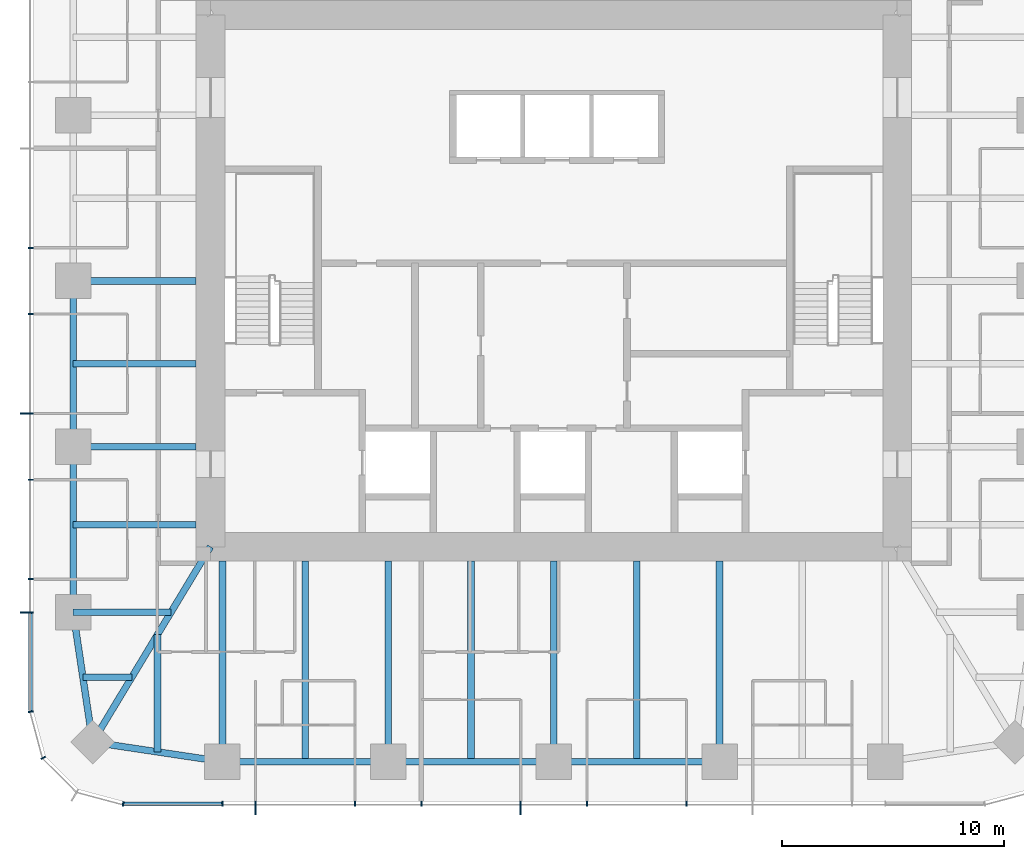
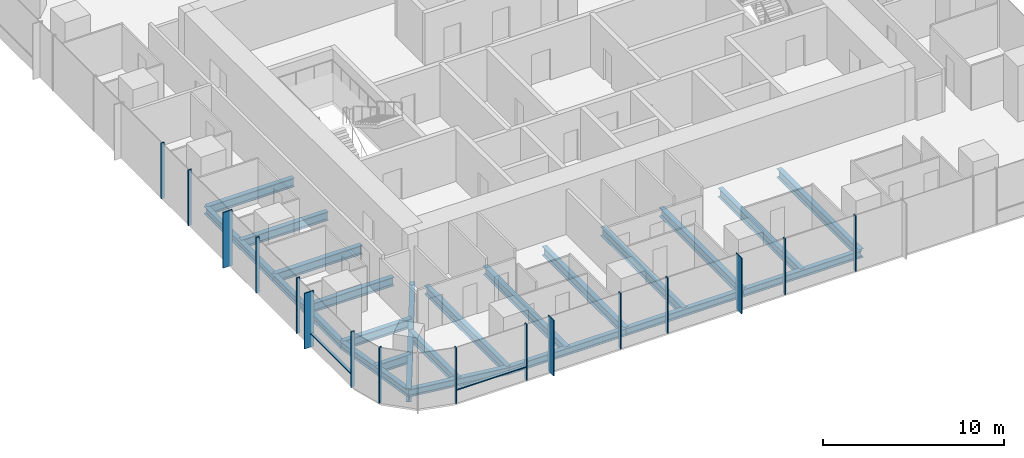
# One storey, part 2 of 12: 22 beams, 18 members, 3 elements without a shape of their own.
"""IFC4 building model written with IfcOpenShell, lengths in metres."""

import ifcopenshell
import ifcopenshell.guid

model = None  # the IFC model being written
_history = None  # IfcOwnerHistory: only IFC2X3 demands one
_inside = {}  # id of a spatial element -> (the spatial element, [elements in it])
_under = {}  # id of a project, library or spatial element -> (it, [spatial elements below it])
_declared = {}  # id of a project -> (the project, [libraries it declares])
_typed = {}  # id of a type object -> (the type object, [elements of that type])
_made_of = {}  # id of a material, layer set ... -> (it, [elements and type objects made of it])


def new_model(schema):
    """Start an empty IFC model of exactly this schema.

    Asked for "IFC4X3", IfcOpenShell would pick the latest addendum, in which some entities
    have other attributes; the version numbers below select the first issue.
    IFC2X3 requires an IfcOwnerHistory on every rooted entity: one is made here for all.
    """
    global model, _history
    if schema == "IFC4X3":
        model = ifcopenshell.file(schema_version=(4, 3, 0, 0))
    else:
        model = ifcopenshell.file(schema=schema)
    _inside.clear()
    _under.clear()
    _declared.clear()
    _typed.clear()
    _made_of.clear()
    _history = None
    if model.schema == "IFC2X3":
        org = make("IfcOrganization", Name="unknown")
        user = make(
            "IfcPersonAndOrganization",
            ThePerson=make("IfcPerson", FamilyName="unknown"),
            TheOrganization=org,
        )
        app = make(
            "IfcApplication",
            ApplicationDeveloper=org,
            Version="unknown",
            ApplicationFullName="unknown",
            ApplicationIdentifier="unknown",
        )
        _history = make(
            "IfcOwnerHistory",
            OwningUser=user,
            OwningApplication=app,
            ChangeAction="ADDED",
            CreationDate=0,
        )
    return model


def make(cls, **values):
    """One entity of the class cls with the attributes given. An attribute that is None is left unset."""
    return model.create_entity(
        cls, **{name: value for name, value in values.items() if value is not None}
    )


def rooted(cls, **values):
    """An entity with a GlobalId (a new one), such as an element, a storey or a relation."""
    return make(cls, GlobalId=ifcopenshell.guid.new(), OwnerHistory=_history, **values)


def si_unit(unit_type, name, prefix=None):
    """IfcSIUnit, for example si_unit("LENGTHUNIT", "METRE", prefix="MILLI")."""
    return make("IfcSIUnit", UnitType=unit_type, Prefix=prefix, Name=name)


def assignment(units):
    """IfcUnitAssignment: the units of a project."""
    return None if units is None else make("IfcUnitAssignment", Units=units)


def point(xyz):
    """IfcCartesianPoint."""
    return None if xyz is None else make("IfcCartesianPoint", Coordinates=xyz)


def direction(xyz):
    """IfcDirection."""
    return None if xyz is None else make("IfcDirection", DirectionRatios=xyz)


def frame(location, z_axis=None, x_axis=None):
    """IfcAxis2Placement3D, a coordinate frame: its origin and axes. An axis left out is left unset."""
    return make(
        "IfcAxis2Placement3D",
        Location=point(location),
        Axis=direction(z_axis),
        RefDirection=direction(x_axis),
    )


def frame_2d(location, x_axis=None):
    """IfcAxis2Placement2D, a coordinate frame in the plane: its origin and x axis."""
    return make(
        "IfcAxis2Placement2D", Location=point(location), RefDirection=direction(x_axis)
    )


def origin():
    """The frame at (0, 0, 0) with its axes left unset."""
    return frame((0.0, 0.0, 0.0))


def origin_2d():
    """The frame at (0, 0) in the plane with its x axis left unset."""
    return frame_2d((0.0, 0.0))


def place(relative_to, where):
    """IfcLocalPlacement: puts the frame where relative to a parent placement (None: the world)."""
    return make(
        "IfcLocalPlacement", PlacementRelTo=relative_to, RelativePlacement=where
    )


def context(
    kind, dimensions, precision=None, world=None, true_north=None, identifier=None
):
    """IfcGeometricRepresentationContext, for example the 3D "Model" context."""
    return make(
        "IfcGeometricRepresentationContext",
        ContextIdentifier=identifier,
        ContextType=kind,
        CoordinateSpaceDimension=dimensions,
        Precision=precision,
        WorldCoordinateSystem=world,
        TrueNorth=true_north,
    )


def subcontext(parent, identifier, kind, view, scale=None):
    """IfcGeometricRepresentationSubContext, for example "Body" below "Model"."""
    return make(
        "IfcGeometricRepresentationSubContext",
        ContextIdentifier=identifier,
        ContextType=kind,
        ParentContext=parent,
        TargetScale=scale,
        TargetView=view,
    )


def project(units=None, contexts=None):
    """IfcProject with its units and contexts."""
    return rooted(
        "IfcProject",
        Name="project",
        RepresentationContexts=contexts,
        UnitsInContext=assignment(units),
    )


def spatial(cls, under=None, at=None, **own):
    """A site, building, storey or space (cls), placed at a placement, below another one or the project."""
    s = rooted(cls, ObjectPlacement=at, **own)
    if under is not None:
        _under.setdefault(under.id(), (under, []))[1].append(s)
    return s


def profile(cls, at=None, kind="AREA", **sizes):
    """A parametric profile (cls). Its sizes go by their IFC names, for example OverallWidth=200.0."""
    return make(cls, ProfileType=kind, Position=at, **sizes)


def rectangle(**sizes):
    """IfcRectangleProfileDef."""
    return profile("IfcRectangleProfileDef", **sizes)


def i_section(**sizes):
    """IfcIShapeProfileDef."""
    return profile("IfcIShapeProfileDef", **sizes)


def extrude(swept, where, along, depth):
    """IfcExtrudedAreaSolid: the profile swept, set in the frame where, extruded along a direction by depth."""
    return make(
        "IfcExtrudedAreaSolid",
        SweptArea=swept,
        Position=where,
        ExtrudedDirection=direction(along),
        Depth=depth,
    )


def shape(context_of_items, identifier, shape_type, items):
    """IfcShapeRepresentation: the items that make up one representation, for example the "Body"."""
    return make(
        "IfcShapeRepresentation",
        ContextOfItems=context_of_items,
        RepresentationIdentifier=identifier,
        RepresentationType=shape_type,
        Items=items,
    )


def material(Name=None, Category=None):
    """IfcMaterial."""
    return make("IfcMaterial", Name=Name, Category=Category)


def material_profile(
    of_material, cross_section, Name=None, Category=None, Priority=None
):
    """IfcMaterialProfile: a cross section and its material."""
    return make(
        "IfcMaterialProfile",
        Name=Name,
        Material=of_material,
        Profile=cross_section,
        Priority=Priority,
        Category=Category,
    )


def profile_set(profiles, Name=None, composite=None):
    """IfcMaterialProfileSet."""
    return make(
        "IfcMaterialProfileSet",
        Name=Name,
        MaterialProfiles=profiles,
        CompositeProfile=composite,
    )


def made_of(thing, what):
    """Note that an element or type object is made of a material, layer set ...; save() writes the relation."""
    if what is not None:
        _made_of.setdefault(what.id(), (what, []))[1].append(thing)
    return thing


def type_object(cls, material=None, **own):
    """A type object (cls), such as IfcWallType, which elements share."""
    return made_of(rooted(cls, **own), material)


def element(
    cls,
    number,
    at=None,
    inside=None,
    cuts=None,
    type_object=None,
    material=None,
    context=None,
    identifier="Body",
    shape_type=None,
    held_by="IfcProductDefinitionShape",
    body=None,
    shapes=None,
    **own,
):
    """One element of the class cls, such as IfcWall. Its Tag is "e" and its number.

    at: its placement. inside: the storey or other place that contains it. cuts: it is an
    opening in that element (IfcRelVoidsElement). A single representation is given by context,
    identifier, shape_type and body (its items); several are given by shapes. held_by: the class
    of the entity that holds the representations. save() writes the other relations.
    """
    e = rooted(cls, Tag="e%d" % number, ObjectPlacement=at, **own)
    if body is not None:
        shapes = [shape(context, identifier, shape_type, body)]
    if shapes is not None:
        e.Representation = make(held_by, Representations=shapes)
    if inside is not None:
        _inside.setdefault(inside.id(), (inside, []))[1].append(e)
    if cuts is not None:
        rooted(
            "IfcRelVoidsElement", RelatingBuildingElement=cuts, RelatedOpeningElement=e
        )
    if type_object is not None:
        _typed.setdefault(type_object.id(), (type_object, []))[1].append(e)
    return made_of(e, material)


def aggregate(whole, parts):
    """IfcRelAggregates: a whole, such as a stair, and the parts it consists of."""
    return rooted("IfcRelAggregates", RelatingObject=whole, RelatedObjects=parts)


def save(model, path):
    """Write the relations noted so far, then the file.

    IfcRelAggregates (storeys below a building ...), IfcRelContainedInSpatialStructure (elements
    in a storey), IfcRelDefinesByType, IfcRelAssociatesMaterial and IfcRelDeclares: one each for
    every whole, place, type object, material and project.
    """
    for whole, parts in _under.values():
        aggregate(whole, parts)
    for where, things in _inside.values():
        rooted(
            "IfcRelContainedInSpatialStructure",
            RelatedElements=things,
            RelatingStructure=where,
        )
    for kind, things in _typed.values():
        rooted("IfcRelDefinesByType", RelatedObjects=things, RelatingType=kind)
    for what, things in _made_of.values():
        rooted("IfcRelAssociatesMaterial", RelatedObjects=things, RelatingMaterial=what)
    for by, libraries in _declared.values():
        rooted("IfcRelDeclares", RelatingContext=by, RelatedDefinitions=libraries)
    model.write(path)


model = new_model("IFC4")

# Units and contexts
model_context = context("Model", 3, precision=1e-05, world=origin(), true_north=direction((0.0, 1.0)))
body_context = subcontext(model_context, "Body", "Model", "MODEL_VIEW")
ifc_project = project(units=[si_unit("LENGTHUNIT", "METRE"), si_unit("AREAUNIT", "SQUARE_METRE"), si_unit("VOLUMEUNIT", "CUBIC_METRE"), si_unit("PLANEANGLEUNIT", "RADIAN"), si_unit("MASSUNIT", "GRAM", prefix="KILO")], contexts=[model_context])

# Site, building, storey
site_placement = place(None, origin())
site = spatial("IfcSite", under=ifc_project, at=site_placement, CompositionType="ELEMENT")
building_placement = place(site_placement, origin())
building = spatial("IfcBuilding", under=site, at=building_placement, Name="Khuree Lantern Residences", CompositionType="ELEMENT")
storey_placement = place(building_placement, frame((0.0, 0.0, 304.5)))
storey = spatial("IfcBuildingStorey", under=building, at=storey_placement, Name="L76", CompositionType="ELEMENT", Elevation=304.5)

# Beams
ifc_material_1 = material(Name="Steel S355", Category="steel")
ifc_material_profile_1 = material_profile(ifc_material_1, i_section(OverallWidth=0.300048828125, OverallDepth=0.590087890625, WebThickness=0.012939453125, FlangeThickness=0.02490234375, FilletRadius=0.027099609375, at=origin_2d()), Name="HE 600 A")
ifc_profile_set_1 = profile_set([ifc_material_profile_1], Name="Steel S355")
beam_type_1 = type_object("IfcBeamType", Name="B-42 SECONDARY BEAM HE 600 A", PredefinedType="BEAM", material=ifc_profile_set_1)
for number, where, z_axis, x_axis, name in (
    (1, (3.739990234375, -21.699951171875, -0.544921875), (0.0, 1.0, 0.0), (-1.0, 0.0, 0.0), "Secondary beam S3"),
    (2, (-3.739990234375, -21.699951171875, -0.544921875), (0.0, 1.0, 0.0), (-1.0, 0.0, 0.0), "Secondary beam S4"),
    (3, (-11.219970703125, -21.699951171875, -0.544921875), (0.0, 1.0, 0.0), (-1.0, 0.0, 0.0), "Secondary beam S5"),
):
    element("IfcBeam", number, at=place(storey_placement, frame(where, z_axis=z_axis, x_axis=x_axis)), inside=storey, type_object=beam_type_1, Name=name, PredefinedType="BEAM", context=body_context, shape_type="SweptSolid", body=[
        extrude(i_section(OverallWidth=0.300048828125, OverallDepth=0.590087890625, WebThickness=0.012939453125, FlangeThickness=0.02490234375, FilletRadius=0.027099609375, at=origin_2d()), origin(), (0.0, 0.0, 1.0), 9.050048828125),
    ])
beam_1_placement = place(storey_placement, frame((-17.890625, -21.2607421875, -0.544921875), z_axis=(0.0, 1.0, 0.0), x_axis=(-1.0, 0.0, 0.0)))
element("IfcBeam", 4, at=beam_1_placement, inside=storey, type_object=beam_type_1, Name="Secondary beam S6", PredefinedType="BEAM", context=body_context, shape_type="SweptSolid", body=[
    extrude(i_section(OverallWidth=0.300048828125, OverallDepth=0.590087890625, WebThickness=0.012939453125, FlangeThickness=0.02490234375, FilletRadius=0.027099609375, at=origin_2d()), origin(), (0.0, 0.0, 1.0), 5.297607421875),
])
beam_2_placement = place(storey_placement, frame((-21.2607421875, -17.890625, -0.544921875), z_axis=(1.0, 0.0, 0.0), x_axis=(0.0, 1.0, 0.0)))
element("IfcBeam", 5, at=beam_2_placement, inside=storey, type_object=beam_type_1, Name="Secondary beam W1", PredefinedType="BEAM", context=body_context, shape_type="SweptSolid", body=[
    extrude(i_section(OverallWidth=0.300048828125, OverallDepth=0.590087890625, WebThickness=0.012939453125, FlangeThickness=0.02490234375, FilletRadius=0.027099609375, at=origin_2d()), origin(), (0.0, 0.0, 1.0), 2.207275390625),
])
for number, where, z_axis, x_axis, name in (
    (6, (-21.699951171875, -11.0, -0.544921875), (1.0, 0.0, 0.0), (0.0, 1.0, 0.0), "Secondary beam W2"),
    (7, (-21.699951171875, -3.739990234375, -0.544921875), (1.0, 0.0, 0.0), (0.0, 1.0, 0.0), "Secondary beam W3"),
):
    element("IfcBeam", number, at=place(storey_placement, frame(where, z_axis=z_axis, x_axis=x_axis)), inside=storey, type_object=beam_type_1, Name=name, PredefinedType="BEAM", context=body_context, shape_type="SweptSolid", body=[
        extrude(i_section(OverallWidth=0.300048828125, OverallDepth=0.590087890625, WebThickness=0.012939453125, FlangeThickness=0.02490234375, FilletRadius=0.027099609375, at=origin_2d()), origin(), (0.0, 0.0, 1.0), 5.550048828125),
    ])
ifc_material_profile_2 = material_profile(ifc_material_1, i_section(OverallWidth=0.300048828125, OverallDepth=0.489990234375, WebThickness=0.011962890625, FlangeThickness=0.02294921875, FilletRadius=0.027099609375, at=origin_2d()), Name="HE 500 A")
ifc_profile_set_2 = profile_set([ifc_material_profile_2], Name="Steel S355")
beam_type_2 = type_object("IfcBeamType", Name="E-42 SPANDREL BEAM HE 500 A", PredefinedType="SPANDREL", material=ifc_profile_set_2)
for number, where, z_axis, x_axis, name in (
    (8, (7.47998046875, -21.699951171875, -0.4951171875), (-1.0, 0.0, 0.0), (0.0, -1.0, 0.0), "Spandrel beam S3"),
    (9, (0.0, -21.699951171875, -0.4951171875), (-1.0, 0.0, 0.0), (0.0, -1.0, 0.0), "Spandrel beam S4"),
    (10, (-7.47998046875, -21.699951171875, -0.4951171875), (-1.0, 0.0, 0.0), (0.0, -1.0, 0.0), "Spandrel beam S5"),
):
    element("IfcBeam", number, at=place(storey_placement, frame(where, z_axis=z_axis, x_axis=x_axis)), inside=storey, type_object=beam_type_2, Name=name, PredefinedType="SPANDREL", context=body_context, shape_type="SweptSolid", body=[
        extrude(i_section(OverallWidth=0.300048828125, OverallDepth=0.489990234375, WebThickness=0.011962890625, FlangeThickness=0.02294921875, FilletRadius=0.027099609375, at=origin_2d()), origin(), (0.0, 0.0, 1.0), 7.47998046875),
    ])
for number, where, z_axis, x_axis, name in (
    (11, (-14.9599609375, -21.699951171875, -0.4951171875), (-0.988949643299, 0.148251822985, 0.0), (-0.148251822985, -0.988949643299, 0.0), "Spandrel beam S6"),
    (12, (-20.8212890625, -20.8212890625, -0.4951171875), (-0.148251822985, 0.988949643299, 0.0), (-0.988949643299, -0.148251822985, 0.0), "Spandrel beam W1"),
):
    element("IfcBeam", number, at=place(storey_placement, frame(where, z_axis=z_axis, x_axis=x_axis)), inside=storey, type_object=beam_type_2, Name=name, PredefinedType="SPANDREL", context=body_context, shape_type="SweptSolid", body=[
        extrude(i_section(OverallWidth=0.300048828125, OverallDepth=0.489990234375, WebThickness=0.011962890625, FlangeThickness=0.02294921875, FilletRadius=0.027099609375, at=origin_2d()), origin(), (0.0, 0.0, 1.0), 5.9267578125),
    ])
for number, where, z_axis, x_axis, name in (
    (13, (-21.699951171875, -14.9599609375, -0.4951171875), (0.0, 1.0, 0.0), (-1.0, 0.0, 0.0), "Spandrel beam W2"),
    (14, (-21.699951171875, -7.47998046875, -0.4951171875), (0.0, 1.0, 0.0), (-1.0, 0.0, 0.0), "Spandrel beam W3"),
):
    element("IfcBeam", number, at=place(storey_placement, frame(where, z_axis=z_axis, x_axis=x_axis)), inside=storey, type_object=beam_type_2, Name=name, PredefinedType="SPANDREL", context=body_context, shape_type="SweptSolid", body=[
        extrude(i_section(OverallWidth=0.300048828125, OverallDepth=0.489990234375, WebThickness=0.011962890625, FlangeThickness=0.02294921875, FilletRadius=0.027099609375, at=origin_2d()), origin(), (0.0, 0.0, 1.0), 7.47998046875),
    ])

# Curtain wall, members
ifc_material_2 = material(Name="Bronze anodised aluminium", Category="aluminium")
curtain_wall_type_1 = type_object("IfcCurtainWallType", Name="CW-T1 TOWER FACE CURTAIN WALL", PredefinedType="USERDEFINED", material=ifc_material_2)
curtain_wall_1_placement = place(storey_placement, origin())
curtain_wall_1 = element("IfcCurtainWall", 15, at=curtain_wall_1_placement, inside=storey, type_object=curtain_wall_type_1, Name="L76 WEST FACE CURTAIN WALL", ObjectType="Stick-built curtain wall", PredefinedType="USERDEFINED")
ifc_material_profile_3 = material_profile(ifc_material_2, rectangle(XDim=0.06494140625, YDim=0.60009765625, at=origin_2d()), Name="F1 65X600")
ifc_profile_set_3 = profile_set([ifc_material_profile_3], Name="Bronze anodised aluminium")
member_type_1 = type_object("IfcMemberType", Name="F1 BRONZE FIN MULLION TOWER 65X600", PredefinedType="MULLION", material=ifc_profile_set_3)
member_1_placement = place(storey_placement, frame((-23.800048828125, -5.98388671875, 0.0), z_axis=(0.0, 0.0, 1.0), x_axis=(0.0, -1.0, 0.0)))
member_1 = element("IfcMember", 16, at=member_1_placement, type_object=member_type_1, Name="L76 WEST FACE FIN MULLION 39", PredefinedType="MULLION", context=body_context, shape_type="SweptSolid", body=[
    extrude(rectangle(XDim=0.06494140625, YDim=0.60009765625, at=origin_2d()), origin(), (0.0, 0.0, 1.0), 3.75),
])
member_2_placement = place(storey_placement, frame((-23.800048828125, -14.9599609375, 0.0), z_axis=(0.0, 0.0, 1.0), x_axis=(0.0, -1.0, 0.0)))
member_2 = element("IfcMember", 17, at=member_2_placement, type_object=member_type_1, Name="L76 WEST FACE FIN MULLION 42", PredefinedType="MULLION", context=body_context, shape_type="SweptSolid", body=[
    extrude(rectangle(XDim=0.06494140625, YDim=0.60009765625, at=origin_2d()), origin(), (0.0, 0.0, 1.0), 3.75),
])

curtain_wall_2_placement = place(storey_placement, origin())
curtain_wall_2 = element("IfcCurtainWall", 18, at=curtain_wall_2_placement, inside=storey, type_object=curtain_wall_type_1, Name="L76 SOUTH FACE CURTAIN WALL", ObjectType="Stick-built curtain wall", PredefinedType="USERDEFINED")
member_3_placement = place(storey_placement, frame((-13.464111328125, -23.800048828125, 0.0), z_axis=(0.0, 0.0, 1.0), x_axis=(1.0, 0.0, 0.0)))
member_3 = element("IfcMember", 19, at=member_3_placement, type_object=member_type_1, Name="L76 SOUTH FACE FIN MULLION 48", PredefinedType="MULLION", context=body_context, shape_type="SweptSolid", body=[
    extrude(rectangle(XDim=0.06494140625, YDim=0.60009765625, at=origin_2d()), origin(), (0.0, 0.0, 1.0), 3.75),
])
member_4_placement = place(storey_placement, frame((-1.49609375, -23.800048828125, 0.0), z_axis=(0.0, 0.0, 1.0), x_axis=(1.0, 0.0, 0.0)))
member_4 = element("IfcMember", 20, at=member_4_placement, type_object=member_type_1, Name="L76 SOUTH FACE FIN MULLION 51", PredefinedType="MULLION", context=body_context, shape_type="SweptSolid", body=[
    extrude(rectangle(XDim=0.06494140625, YDim=0.60009765625, at=origin_2d()), origin(), (0.0, 0.0, 1.0), 3.75),
])

# Beams
ifc_material_profile_4 = material_profile(ifc_material_1, i_section(OverallWidth=0.300048828125, OverallDepth=0.60009765625, WebThickness=0.015380859375, FlangeThickness=0.030029296875, FilletRadius=0.027099609375, at=origin_2d()), Name="HE 600 B")
ifc_profile_set_4 = profile_set([ifc_material_profile_4], Name="Steel S355")
beam_type_3 = type_object("IfcBeamType", Name="G-42 GIRDER HE 600 B", PredefinedType="BEAM", material=ifc_profile_set_4)
for number, where, z_axis, x_axis, name in (
    (21, (7.47998046875, -21.699951171875, -0.550048828125), (0.0, 1.0, 0.0), (-1.0, 0.0, 0.0), "Girder S2"),
    (22, (0.0, -21.699951171875, -0.550048828125), (0.0, 1.0, 0.0), (-1.0, 0.0, 0.0), "Girder S3"),
    (23, (-7.47998046875, -21.699951171875, -0.550048828125), (0.0, 1.0, 0.0), (-1.0, 0.0, 0.0), "Girder S4"),
    (24, (-14.9599609375, -21.699951171875, -0.550048828125), (0.0, 1.0, 0.0), (-1.0, 0.0, 0.0), "Girder S5"),
):
    element("IfcBeam", number, at=place(storey_placement, frame(where, z_axis=z_axis, x_axis=x_axis)), inside=storey, type_object=beam_type_3, Name=name, PredefinedType="BEAM", context=body_context, shape_type="SweptSolid", body=[
        extrude(i_section(OverallWidth=0.300048828125, OverallDepth=0.60009765625, WebThickness=0.015380859375, FlangeThickness=0.030029296875, FilletRadius=0.027099609375, at=origin_2d()), origin(), (0.0, 0.0, 1.0), 9.050048828125),
    ])
beam_3_placement = place(storey_placement, frame((-21.699951171875, -14.9599609375, -0.550048828125), z_axis=(1.0, 0.0, 0.0), x_axis=(0.0, 1.0, 0.0)))
element("IfcBeam", 25, at=beam_3_placement, inside=storey, type_object=beam_type_3, Name="Girder W1", PredefinedType="BEAM", context=body_context, shape_type="SweptSolid", body=[
    extrude(i_section(OverallWidth=0.300048828125, OverallDepth=0.60009765625, WebThickness=0.015380859375, FlangeThickness=0.030029296875, FilletRadius=0.027099609375, at=origin_2d()), origin(), (0.0, 0.0, 1.0), 4.414306640625),
])
for number, where, z_axis, x_axis, name in (
    (26, (-21.699951171875, -7.47998046875, -0.550048828125), (1.0, 0.0, 0.0), (0.0, 1.0, 0.0), "Girder W2"),
    (27, (-21.699951171875, 0.0, -0.550048828125), (1.0, 0.0, 0.0), (0.0, 1.0, 0.0), "Girder W3"),
):
    element("IfcBeam", number, at=place(storey_placement, frame(where, z_axis=z_axis, x_axis=x_axis)), inside=storey, type_object=beam_type_3, Name=name, PredefinedType="BEAM", context=body_context, shape_type="SweptSolid", body=[
        extrude(i_section(OverallWidth=0.300048828125, OverallDepth=0.60009765625, WebThickness=0.015380859375, FlangeThickness=0.030029296875, FilletRadius=0.027099609375, at=origin_2d()), origin(), (0.0, 0.0, 1.0), 5.550048828125),
    ])
ifc_material_profile_5 = material_profile(ifc_material_1, i_section(OverallWidth=0.300048828125, OverallDepth=0.89990234375, WebThickness=0.0185546875, FlangeThickness=0.034912109375, FilletRadius=0.030029296875, at=origin_2d()), Name="HE 900 B")
ifc_profile_set_5 = profile_set([ifc_material_profile_5], Name="Steel S355")
beam_type_4 = type_object("IfcBeamType", Name="GD-42 CORNER GIRDER HE 900 B", PredefinedType="BEAM", material=ifc_profile_set_5)
beam_4_placement = place(storey_placement, frame((-20.8212890625, -20.8212890625, -0.699951171875), z_axis=(0.516529577604, 0.856269347495, 0.0), x_axis=(-0.856269347495, 0.516529577604, 0.0)))
element("IfcBeam", 28, at=beam_4_placement, inside=storey, type_object=beam_type_4, Name="Corner girder SW", PredefinedType="BEAM", context=body_context, shape_type="SweptSolid", body=[
    extrude(i_section(OverallWidth=0.300048828125, OverallDepth=0.89990234375, WebThickness=0.0185546875, FlangeThickness=0.034912109375, FilletRadius=0.030029296875, at=origin_2d()), origin(), (0.0, 0.0, 1.0), 10.302001953125),
])

# Member
ifc_material_profile_6 = material_profile(ifc_material_2, rectangle(XDim=0.06494140625, YDim=0.219970703125, at=origin_2d()), Name="M1 65X220")
ifc_profile_set_6 = profile_set([ifc_material_profile_6], Name="Bronze anodised aluminium")
member_type_2 = type_object("IfcMemberType", Name="M1 BRONZE MULLION TOWER 65X220", PredefinedType="MULLION", material=ifc_profile_set_6)
member_5_placement = place(storey_placement, frame((-23.610107421875, 1.49609375, 0.0), z_axis=(0.0, 0.0, 1.0), x_axis=(0.0, -1.0, 0.0)))
member_5 = element("IfcMember", 29, at=member_5_placement, type_object=member_type_2, Name="L76 WEST FACE MULLION 37", PredefinedType="MULLION", context=body_context, shape_type="SweptSolid", body=[
    extrude(rectangle(XDim=0.06494140625, YDim=0.219970703125, at=origin_2d()), origin(), (0.0, 0.0, 1.0), 3.75),
])

member_6_placement = place(storey_placement, frame((-23.610107421875, -1.49609375, 0.0), z_axis=(0.0, 0.0, 1.0), x_axis=(0.0, -1.0, 0.0)))
member_6 = element("IfcMember", 30, at=member_6_placement, type_object=member_type_2, Name="L76 WEST FACE MULLION 38", PredefinedType="MULLION", context=body_context, shape_type="SweptSolid", body=[
    extrude(rectangle(XDim=0.06494140625, YDim=0.219970703125, at=origin_2d()), origin(), (0.0, 0.0, 1.0), 3.75),
])

member_7_placement = place(storey_placement, frame((-23.610107421875, -8.97607421875, 0.0), z_axis=(0.0, 0.0, 1.0), x_axis=(0.0, -1.0, 0.0)))
member_7 = element("IfcMember", 31, at=member_7_placement, type_object=member_type_2, Name="L76 WEST FACE MULLION 40", PredefinedType="MULLION", context=body_context, shape_type="SweptSolid", body=[
    extrude(rectangle(XDim=0.06494140625, YDim=0.219970703125, at=origin_2d()), origin(), (0.0, 0.0, 1.0), 3.75),
])

member_8_placement = place(storey_placement, frame((-23.610107421875, -13.464111328125, 0.0), z_axis=(0.0, 0.0, 1.0), x_axis=(0.0, -1.0, 0.0)))
member_8 = element("IfcMember", 32, at=member_8_placement, type_object=member_type_2, Name="L76 WEST FACE MULLION 41", PredefinedType="MULLION", context=body_context, shape_type="SweptSolid", body=[
    extrude(rectangle(XDim=0.06494140625, YDim=0.219970703125, at=origin_2d()), origin(), (0.0, 0.0, 1.0), 3.75),
])

# Curtain wall, members
curtain_wall_type_2 = type_object("IfcCurtainWallType", Name="CW-T2 TOWER CORNER CURTAIN WALL", PredefinedType="USERDEFINED", material=ifc_material_2)
curtain_wall_3_placement = place(storey_placement, origin())
curtain_wall_3 = element("IfcCurtainWall", 33, at=curtain_wall_3_placement, inside=storey, type_object=curtain_wall_type_2, Name="L76 SOUTH-WEST CORNER CURTAIN WALL", ObjectType="Faceted corner curtain wall", PredefinedType="USERDEFINED")
member_9_placement = place(storey_placement, frame((-23.61181640625, -19.445068359375, 0.0), z_axis=(0.0, 0.0, 1.0), x_axis=(0.130526125236, -0.991444870192, 0.0)))
member_9 = element("IfcMember", 34, at=member_9_placement, type_object=member_type_2, Name="L76 SOUTH-WEST CORNER MULLION 43", PredefinedType="MULLION", context=body_context, shape_type="SweptSolid", body=[
    extrude(rectangle(XDim=0.06494140625, YDim=0.219970703125, at=origin_2d()), origin(), (0.0, 0.0, 1.0), 3.75),
])
member_10_placement = place(storey_placement, frame((-23.052734375, -21.530029296875, 0.0), z_axis=(0.0, 0.0, 1.0), x_axis=(0.49999994149, -0.866025437565, 0.0)))
member_10 = element("IfcMember", 35, at=member_10_placement, type_object=member_type_2, Name="L76 SOUTH-WEST CORNER MULLION 44", PredefinedType="MULLION", context=body_context, shape_type="SweptSolid", body=[
    extrude(rectangle(XDim=0.06494140625, YDim=0.219970703125, at=origin_2d()), origin(), (0.0, 0.0, 1.0), 3.75),
])
aggregate(curtain_wall_3, [member_9, member_10])

# Member
member_11_placement = place(storey_placement, frame((-19.445068359375, -23.61181640625, 0.0), z_axis=(0.0, 0.0, 1.0), x_axis=(0.991444870192, -0.130526125236, 0.0)))
member_11 = element("IfcMember", 36, at=member_11_placement, type_object=member_type_2, Name="L76 SOUTH FACE MULLION 46", PredefinedType="MULLION", context=body_context, shape_type="SweptSolid", body=[
    extrude(rectangle(XDim=0.06494140625, YDim=0.219970703125, at=origin_2d()), origin(), (0.0, 0.0, 1.0), 3.75),
])

member_12_placement = place(storey_placement, frame((-14.9599609375, -23.610107421875, 0.0), z_axis=(0.0, 0.0, 1.0), x_axis=(1.0, 0.0, 0.0)))
member_12 = element("IfcMember", 37, at=member_12_placement, type_object=member_type_2, Name="L76 SOUTH FACE MULLION 47", PredefinedType="MULLION", context=body_context, shape_type="SweptSolid", body=[
    extrude(rectangle(XDim=0.06494140625, YDim=0.219970703125, at=origin_2d()), origin(), (0.0, 0.0, 1.0), 3.75),
])

member_13_placement = place(storey_placement, frame((-8.97607421875, -23.610107421875, 0.0), z_axis=(0.0, 0.0, 1.0), x_axis=(1.0, 0.0, 0.0)))
member_13 = element("IfcMember", 38, at=member_13_placement, type_object=member_type_2, Name="L76 SOUTH FACE MULLION 49", PredefinedType="MULLION", context=body_context, shape_type="SweptSolid", body=[
    extrude(rectangle(XDim=0.06494140625, YDim=0.219970703125, at=origin_2d()), origin(), (0.0, 0.0, 1.0), 3.75),
])

member_14_placement = place(storey_placement, frame((-5.98388671875, -23.610107421875, 0.0), z_axis=(0.0, 0.0, 1.0), x_axis=(1.0, 0.0, 0.0)))
member_14 = element("IfcMember", 39, at=member_14_placement, type_object=member_type_2, Name="L76 SOUTH FACE MULLION 50", PredefinedType="MULLION", context=body_context, shape_type="SweptSolid", body=[
    extrude(rectangle(XDim=0.06494140625, YDim=0.219970703125, at=origin_2d()), origin(), (0.0, 0.0, 1.0), 3.75),
])

member_15_placement = place(storey_placement, frame((1.49609375, -23.610107421875, 0.0), z_axis=(0.0, 0.0, 1.0), x_axis=(1.0, 0.0, 0.0)))
member_15 = element("IfcMember", 40, at=member_15_placement, type_object=member_type_2, Name="L76 SOUTH FACE MULLION 52", PredefinedType="MULLION", context=body_context, shape_type="SweptSolid", body=[
    extrude(rectangle(XDim=0.06494140625, YDim=0.219970703125, at=origin_2d()), origin(), (0.0, 0.0, 1.0), 3.75),
])

member_16_placement = place(storey_placement, frame((5.98388671875, -23.610107421875, 0.0), z_axis=(0.0, 0.0, 1.0), x_axis=(1.0, 0.0, 0.0)))
member_16 = element("IfcMember", 41, at=member_16_placement, type_object=member_type_2, Name="L76 SOUTH FACE MULLION 53", PredefinedType="MULLION", context=body_context, shape_type="SweptSolid", body=[
    extrude(rectangle(XDim=0.06494140625, YDim=0.219970703125, at=origin_2d()), origin(), (0.0, 0.0, 1.0), 3.75),
])

ifc_material_profile_7 = material_profile(ifc_material_2, rectangle(XDim=0.179931640625, YDim=0.06494140625, at=origin_2d()), Name="T1 180X65")
ifc_profile_set_7 = profile_set([ifc_material_profile_7], Name="Bronze anodised aluminium")
member_type_3 = type_object("IfcMemberType", Name="TRANSOM T1 TOWER 180X65", PredefinedType="USERDEFINED", material=ifc_profile_set_7)
member_17_placement = place(storey_placement, frame((-23.6201171875, -14.992431640625, 0.89990234375), z_axis=(0.0, -1.0, 0.0), x_axis=(1.0, 0.0, 0.0)))
member_17 = element("IfcMember", 42, at=member_17_placement, type_object=member_type_3, Name="L76 WEST FACE TRANSOM 42.1", ObjectType="Transom", PredefinedType="USERDEFINED", context=body_context, shape_type="SweptSolid", body=[
    extrude(rectangle(XDim=0.179931640625, YDim=0.06494140625, at=origin_2d()), origin(), (0.0, 0.0, 1.0), 4.408935546875),
])

aggregate(curtain_wall_1, [member_5, member_6, member_1, member_7, member_8, member_2, member_17])

member_18_placement = place(storey_placement, frame((-19.4013671875, -23.6201171875, 0.89990234375), z_axis=(1.0, 0.0, 0.0), x_axis=(0.0, 1.0, 0.0)))
member_18 = element("IfcMember", 43, at=member_18_placement, type_object=member_type_3, Name="L76 SOUTH FACE TRANSOM 46.1", ObjectType="Transom", PredefinedType="USERDEFINED", context=body_context, shape_type="SweptSolid", body=[
    extrude(rectangle(XDim=0.179931640625, YDim=0.06494140625, at=origin_2d()), origin(), (0.0, 0.0, 1.0), 4.408935546875),
])

aggregate(curtain_wall_2, [member_11, member_12, member_3, member_13, member_14, member_4, member_15, member_16, member_18])

save(model, "model.ifc")
